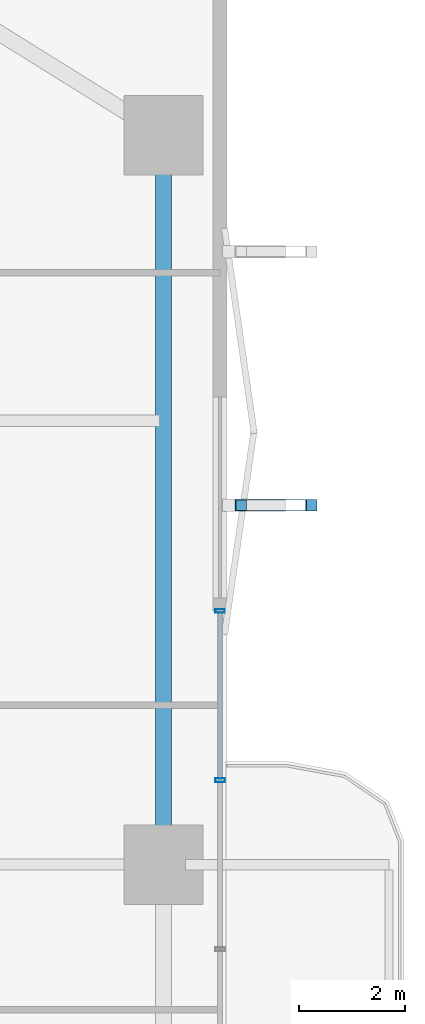
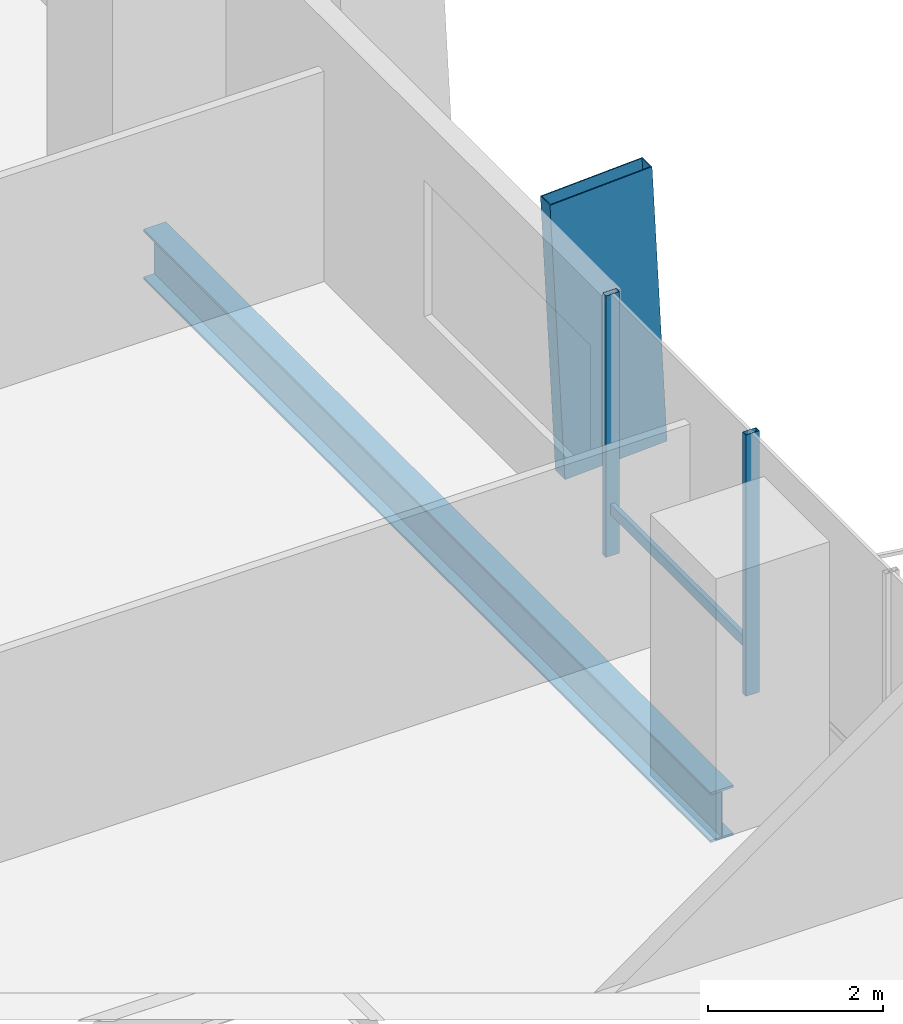
# One storey, part 13 of 23: 4 members, 1 beam, 1 element without a shape of its own.
"""IFC4 building model written with IfcOpenShell, lengths in metres."""

from ifc_helpers import new_model, si_unit, direction, frame, origin, origin_2d, place, context, subcontext, project, spatial, hollow_rectangle, i_section, extrude, material, layer, layer_set, material_profile, profile_set, type_object, element, aggregate, save


model = new_model("IFC4")

# Units and contexts
model_context = context("Model", 3, precision=1e-05, world=origin(), true_north=direction((0.0, 1.0)))
body_context = subcontext(model_context, "Body", "Model", "MODEL_VIEW")
ifc_project = project(units=[si_unit("LENGTHUNIT", "METRE"), si_unit("AREAUNIT", "SQUARE_METRE"), si_unit("VOLUMEUNIT", "CUBIC_METRE"), si_unit("PLANEANGLEUNIT", "RADIAN"), si_unit("MASSUNIT", "GRAM", prefix="KILO")], contexts=[model_context])

# Site, building, storey
site_placement = place(None, origin())
site = spatial("IfcSite", under=ifc_project, at=site_placement, CompositionType="ELEMENT")
building_placement = place(site_placement, origin())
building = spatial("IfcBuilding", under=site, at=building_placement, Name="Belovzor Exchange Tower", CompositionType="ELEMENT")
storey_placement = place(building_placement, frame((0.0, 0.0, 76.800048828125)))
storey = spatial("IfcBuildingStorey", under=building, at=storey_placement, Name="L18", CompositionType="ELEMENT", Elevation=76.800048828125)

# Member
ifc_material_1 = material(Name="Extruded Architectural Terracotta on Steel S355 Carrier", Category="masonry")
ifc_material_profile_1 = material_profile(ifc_material_1, hollow_rectangle(XDim=0.219970703125, YDim=1.35009765625, WallThickness=0.013916015625, at=origin_2d()))
ifc_profile_set_1 = profile_set([ifc_material_profile_1], Name="Extruded Architectural Terracotta on Steel S355 Carrier")
member_type_1 = type_object("IfcMemberType", Name="Base Arc Sweeping Terracotta Pylon Fin 1450", PredefinedType="USERDEFINED", material=ifc_profile_set_1)
member_1_placement = place(storey_placement, frame((57.72607421875, 35.60009765625, -0.25), z_axis=(-0.050704695274, 0.0, 0.998713689641), x_axis=(0.0, -1.0, 0.0)))
element("IfcMember", 1, at=member_1_placement, inside=storey, type_object=member_type_1, Name="FIN-TC145 Terracotta Facade Fin L18 E3", ObjectType="FIN", PredefinedType="USERDEFINED", context=body_context, shape_type="SweptSolid", body=[
    extrude(hollow_rectangle(XDim=0.219970703125, YDim=1.35009765625, WallThickness=0.013916015625, at=origin_2d()), origin(), (0.0, 0.0, 1.0), 3.905029296875),
])

# Curtain wall, members
ifc_material_2 = material(Name="Anodised Aluminium Framing", Category="aluminium")
ifc_layer = layer(ifc_material_2, 0.179931640625)
ifc_layer_set = layer_set([ifc_layer], Name="Anodised Aluminium Framing")
curtain_wall_type = type_object("IfcCurtainWallType", Name="Recessed Loggia Low-Iron Triple-Glazed Curtain Wall", PredefinedType="NOTDEFINED", material=ifc_layer_set)
curtain_wall_placement = place(storey_placement, origin())
curtain_wall = element("IfcCurtainWall", 2, at=curtain_wall_placement, inside=storey, type_object=curtain_wall_type, Name="CW3 Recessed Loggia Low-Iron Triple-Glazed Curtain Wall L18", PredefinedType="NOTDEFINED")
ifc_material_3 = material(Name="Steel S355", Category="steel")
ifc_material_profile_2 = material_profile(ifc_material_3, hollow_rectangle(XDim=0.074951171875, YDim=0.179931640625, WallThickness=0.0048828125, at=origin_2d()))
ifc_profile_set_2 = profile_set([ifc_material_profile_2], Name="Steel S355")
member_type_2 = type_object("IfcMemberType", Name="Thermally Broken Curtain Wall Mullion 180x75", PredefinedType="MULLION", material=ifc_profile_set_2)
member_2_placement = place(storey_placement, frame((56.570068359375, 33.60009765625, 0.0), z_axis=(0.0, 0.0, 1.0), x_axis=(0.0, -1.0, 0.0)))
member_2 = element("IfcMember", 3, at=member_2_placement, type_object=member_type_2, Name="CW-M180 Curtain Wall Mullion 1", PredefinedType="MULLION", context=body_context, shape_type="SweptSolid", body=[
    extrude(hollow_rectangle(XDim=0.074951171875, YDim=0.179931640625, WallThickness=0.0048828125, at=origin_2d()), origin(), (0.0, 0.0, 1.0), 3.64990234375),
])
member_3_placement = place(storey_placement, frame((56.570068359375, 30.39990234375, 0.0), z_axis=(0.0, 0.0, 1.0), x_axis=(0.0, -1.0, 0.0)))
member_3 = element("IfcMember", 4, at=member_3_placement, type_object=member_type_2, Name="CW-M180 Curtain Wall Mullion 2", PredefinedType="MULLION", context=body_context, shape_type="SweptSolid", body=[
    extrude(hollow_rectangle(XDim=0.074951171875, YDim=0.179931640625, WallThickness=0.0048828125, at=origin_2d()), origin(), (0.0, 0.0, 1.0), 3.64990234375),
])
ifc_material_4 = material(Name="Steel S355", Category="steel")
ifc_material_profile_3 = material_profile(ifc_material_4, hollow_rectangle(XDim=0.06005859375, YDim=0.14990234375, WallThickness=0.00390625, at=origin_2d()))
ifc_profile_set_3 = profile_set([ifc_material_profile_3], Name="Steel S355")
member_type_3 = type_object("IfcMemberType", Name="Thermally Broken Curtain Wall Transom 150x60", PredefinedType="USERDEFINED", material=ifc_profile_set_3)
member_4_placement = place(storey_placement, frame((56.570068359375, 33.592041015625, 0.64990234375), z_axis=(0.0, -1.0, 0.0), x_axis=(1.0, 0.0, 0.0)))
member_4 = element("IfcMember", 5, at=member_4_placement, type_object=member_type_3, Name="CW-T150 Curtain Wall Transom 1", ObjectType="TRANSOM", PredefinedType="USERDEFINED", context=body_context, shape_type="SweptSolid", body=[
    extrude(hollow_rectangle(XDim=0.06005859375, YDim=0.14990234375, WallThickness=0.00390625, at=origin_2d()), origin(), (0.0, 0.0, 1.0), 3.18408203125),
])
aggregate(curtain_wall, [member_2, member_3, member_4])

# Beam
ifc_material_5 = material(Name="Steel S355", Category="steel")
ifc_material_profile_4 = material_profile(ifc_material_5, i_section(OverallWidth=0.300048828125, OverallDepth=0.699951171875, WebThickness=0.01708984375, FlangeThickness=0.031982421875, at=origin_2d()))
ifc_profile_set_4 = profile_set([ifc_material_profile_4], Name="Steel S355")
beam_type = type_object("IfcBeamType", Name="Zone 1 Primary Perimeter Girder HEB 700", PredefinedType="BEAM", material=ifc_profile_set_4)
beam_placement = place(storey_placement, frame((55.5, 29.212890625, -0.60009765625), z_axis=(0.0, 1.0, 0.0), x_axis=(-1.0, 0.0, 0.0)))
element("IfcBeam", 6, at=beam_placement, inside=storey, type_object=beam_type, Name="FG-Z1 Zone 1 Primary Perimeter Girder HEB 700", PredefinedType="BEAM", context=body_context, shape_type="SweptSolid", body=[
    extrude(i_section(OverallWidth=0.300048828125, OverallDepth=0.699951171875, WebThickness=0.01708984375, FlangeThickness=0.031982421875, at=origin_2d()), origin(), (0.0, 0.0, 1.0), 12.97509765625),
])

save(model, "model.ifc")
